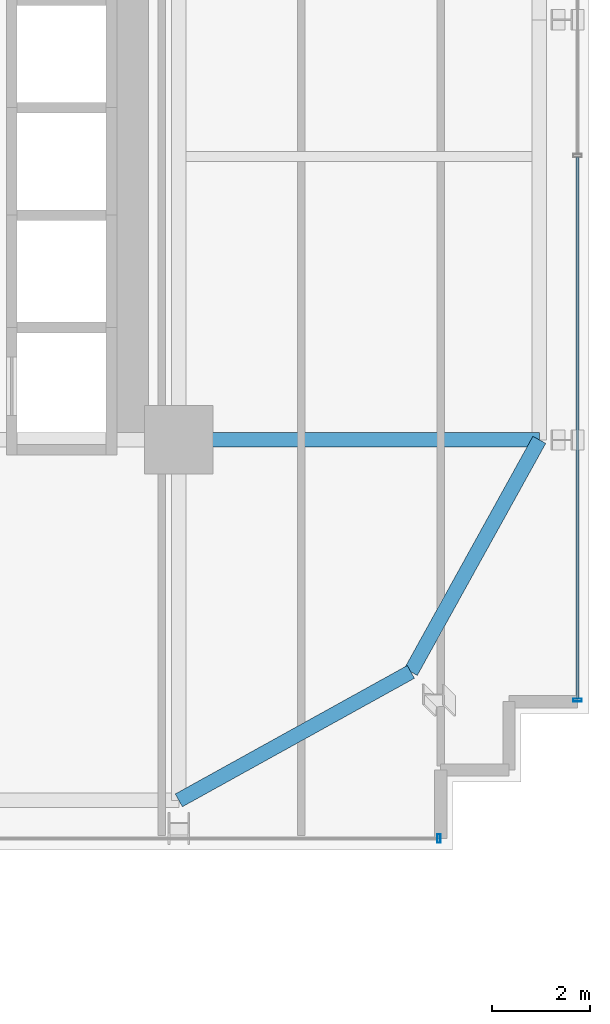
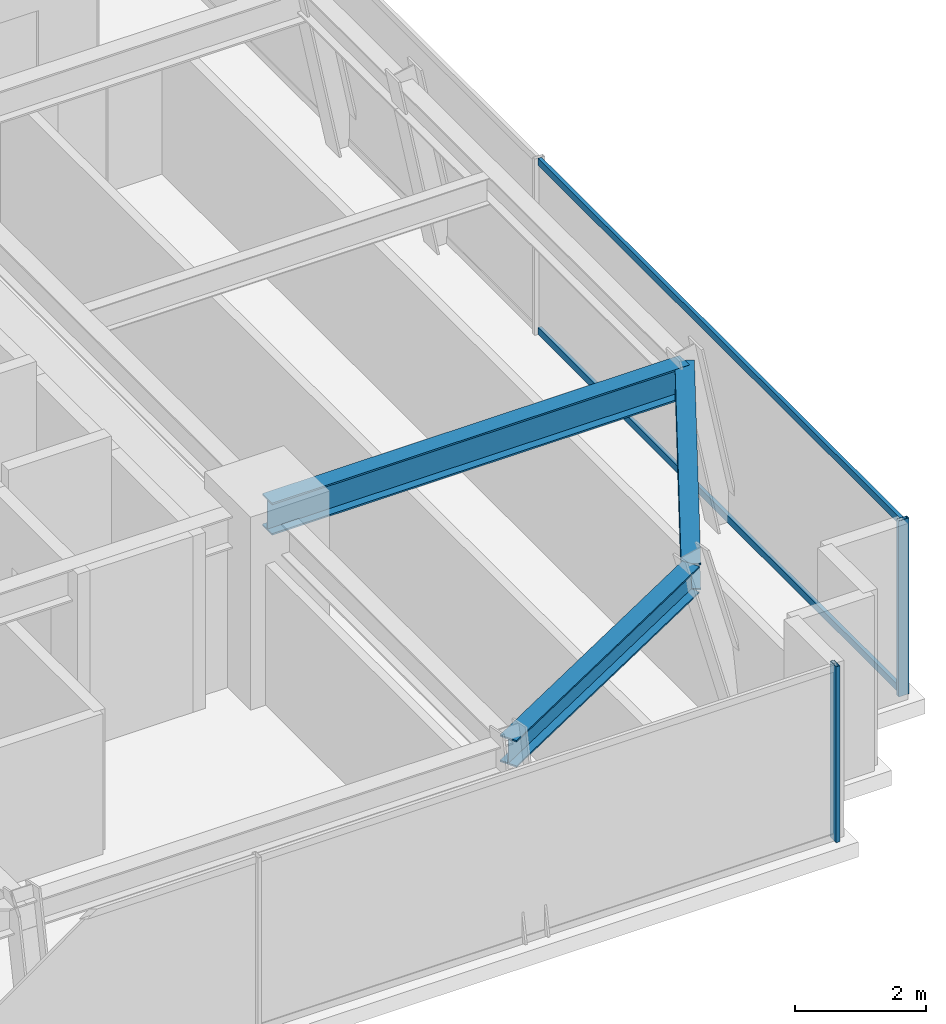
# One storey, part 13 of 35: 4 members, 3 beams, 2 elements without a shape of their own.
"""IFC4 building model written with IfcOpenShell, lengths in metres."""

from ifc_helpers import new_model, si_unit, direction, frame, origin, origin_2d, place, context, subcontext, project, spatial, hollow_rectangle, i_section, extrude, source, transform, mapped, material, material_profile, profile_set, type_object, element, aggregate, save


model = new_model("IFC4")

# Units and contexts
model_context = context("Model", 3, precision=1e-05, world=origin(), true_north=direction((0.0, 1.0)))
body_context = subcontext(model_context, "Body", "Model", "MODEL_VIEW")
ifc_project = project(units=[si_unit("LENGTHUNIT", "METRE"), si_unit("AREAUNIT", "SQUARE_METRE"), si_unit("VOLUMEUNIT", "CUBIC_METRE"), si_unit("PLANEANGLEUNIT", "RADIAN"), si_unit("MASSUNIT", "GRAM", prefix="KILO")], contexts=[model_context])

# Site, building, storey
site_placement = place(None, origin())
site = spatial("IfcSite", under=ifc_project, at=site_placement, CompositionType="ELEMENT")
building_placement = place(site_placement, origin())
building = spatial("IfcBuilding", under=site, at=building_placement, Name="Nahalor Promenade Grand Hotel", CompositionType="ELEMENT")
storey_placement = place(building_placement, frame((0.0, 0.0, 79.85009765625)))
storey = spatial("IfcBuildingStorey", under=building, at=storey_placement, Name="L19", CompositionType="ELEMENT", Elevation=79.85009765625)

# Beams
ifc_material_1 = material(Name="Steel S355JR", Category="steel")
ifc_material_profile_1 = material_profile(ifc_material_1, i_section(OverallWidth=0.3, OverallDepth=0.6, WebThickness=0.0155, FlangeThickness=0.03, at=origin_2d()), Name="HEB 600")
ifc_profile_set_1 = profile_set([ifc_material_profile_1], Name="Steel S355JR")
beam_type_1 = type_object("IfcBeamType", Name="Beam-Girder-HEB600", PredefinedType="BEAM", material=ifc_profile_set_1)
shared_shape_1 = source(origin(), body_context, "Body", "SweptSolid", [
    extrude(i_section(OverallWidth=0.3, OverallDepth=0.6, WebThickness=0.0155, FlangeThickness=0.03, at=origin_2d()), origin(), (0.0, 0.0, 1.0), 7.3798828125),
])
beam_placement = place(storey_placement, frame((17.0, -17.0, 2.989990234375), z_axis=(1.0, 0.0, 0.0), x_axis=(0.0, 1.0, 0.0)))
element("IfcBeam", 1, at=beam_placement, inside=storey, type_object=beam_type_1, Name="BM-L19-GX-0-6", PredefinedType="BEAM", context=body_context, shape_type="MappedRepresentation", body=[
    mapped(shared_shape_1, transform((0.0, 0.0, 0.0), scale=1.0)),
])
ifc_material_profile_2 = material_profile(ifc_material_1, i_section(OverallWidth=0.3, OverallDepth=0.5, WebThickness=0.0145, FlangeThickness=0.028, at=origin_2d()), Name="HEB 500")
ifc_profile_set_2 = profile_set([ifc_material_profile_2], Name="Steel S355JR")
beam_type_2 = type_object("IfcBeamType", Name="Beam-Spandrel-HEB500", PredefinedType="SPANDREL", material=ifc_profile_set_2)
shared_shape_2 = source(origin(), body_context, "Body", "SweptSolid", [
    extrude(i_section(OverallWidth=0.3, OverallDepth=0.5, WebThickness=0.0145, FlangeThickness=0.028, at=origin_2d()), origin(), (0.0, 0.0, 1.0), 5.429443359375),
])
for number, where, z_axis, x_axis, name in (
    (2, (17.0, -24.3798828125, 3.039794921875), (0.874860543329, 0.484374885523, 0.0), (-0.484374885523, 0.874860543329, 0.0), "BM-L19-SPC-SE-1"),
    (3, (21.75, -21.75, 3.039794921875), (0.484374885523, 0.874860543329, 0.0), (-0.874860543329, 0.484374885523, 0.0), "BM-L19-SPC-SE-2"),
):
    element("IfcBeam", number, at=place(storey_placement, frame(where, z_axis=z_axis, x_axis=x_axis)), inside=storey, type_object=beam_type_2, Name=name, PredefinedType="SPANDREL", context=body_context, shape_type="MappedRepresentation", body=[
        mapped(shared_shape_2, transform((0.0, 0.0, 0.0), scale=1.0)),
    ])

# Curtain wall, members
ifc_material_2 = material(Name="Anodised Bronze Aluminium EN AW-6063 T6", Category="aluminium")
curtain_wall_type = type_object("IfcCurtainWallType", Name="CW2 Typical Hotel Flush Bronze Unitised Curtain Wall", PredefinedType="USERDEFINED", material=ifc_material_2)
curtain_wall_1_placement = place(storey_placement, origin())
curtain_wall_1 = element("IfcCurtainWall", 4, at=curtain_wall_1_placement, inside=storey, type_object=curtain_wall_type, Name="L19 Curtain Wall CW-L19-E-1", ObjectType="UNITISED_CURTAIN_WALL", PredefinedType="USERDEFINED")
ifc_material_profile_3 = material_profile(ifc_material_2, hollow_rectangle(XDim=0.065, YDim=0.13, WallThickness=0.004, at=origin_2d()), Name="CWT 65x130x4")
ifc_profile_set_3 = profile_set([ifc_material_profile_3], Name="Anodised Bronze Aluminium EN AW-6063 T6")
member_type_1 = type_object("IfcMemberType", Name="CWT2 Typical Bronze Transom 65x130", PredefinedType="USERDEFINED", material=ifc_profile_set_3)
shared_shape_3 = source(origin(), body_context, "Body", "SweptSolid", [
    extrude(hollow_rectangle(XDim=0.065, YDim=0.13, WallThickness=0.004, at=origin_2d()), origin(), (0.0, 0.0, 1.0), 11.08251953125),
])
member_1_placement = place(storey_placement, frame((25.159912109375, -22.294921875, 0.06494140625), z_axis=(0.0, 1.0, 0.0), x_axis=(-1.0, 0.0, 0.0)))
member_1 = element("IfcMember", 5, at=member_1_placement, type_object=member_type_1, Name="CW-L19-E-1 Transom 0-0", ObjectType="TRANSOM", PredefinedType="USERDEFINED", context=body_context, shape_type="MappedRepresentation", body=[
    mapped(shared_shape_3, transform((0.0, 0.0, 0.0), scale=1.0)),
])
member_2_placement = place(storey_placement, frame((25.159912109375, -22.294921875, 3.224853515625), z_axis=(0.0, 1.0, 0.0), x_axis=(-1.0, 0.0, 0.0)))
member_2 = element("IfcMember", 6, at=member_2_placement, type_object=member_type_1, Name="CW-L19-E-1 Transom 0-1", ObjectType="TRANSOM", PredefinedType="USERDEFINED", context=body_context, shape_type="MappedRepresentation", body=[
    mapped(shared_shape_3, transform((0.0, 0.0, 0.0), scale=1.0)),
])

# Curtain wall, member
curtain_wall_2_placement = place(storey_placement, origin())
curtain_wall_2 = element("IfcCurtainWall", 7, at=curtain_wall_2_placement, inside=storey, type_object=curtain_wall_type, Name="L19 Curtain Wall CW-L19-S-3", ObjectType="UNITISED_CURTAIN_WALL", PredefinedType="USERDEFINED")
ifc_material_profile_4 = material_profile(ifc_material_2, hollow_rectangle(XDim=0.065, YDim=0.18, WallThickness=0.004, at=origin_2d()), Name="CWM 65x180x4")
ifc_profile_set_4 = profile_set([ifc_material_profile_4], Name="Anodised Bronze Aluminium EN AW-6063 T6")
member_type_2 = type_object("IfcMemberType", Name="CWM2 Typical Bronze Mullion 65x180", PredefinedType="MULLION", material=ifc_profile_set_4)
shared_shape_4 = source(origin(), body_context, "Body", "SweptSolid", [
    extrude(hollow_rectangle(XDim=0.065, YDim=0.18, WallThickness=0.004, at=origin_2d()), origin(), (0.0, 0.0, 1.0), 3.289794921875),
])
member_3_placement = place(storey_placement, frame((22.327392578125, -25.159912109375, 0.0), z_axis=(0.0, 0.0, 1.0), x_axis=(1.0, 0.0, 0.0)))
member_3 = element("IfcMember", 8, at=member_3_placement, type_object=member_type_2, Name="CW-L19-S-3 Mullion 3", PredefinedType="MULLION", context=body_context, shape_type="MappedRepresentation", body=[
    mapped(shared_shape_4, transform((0.0, 0.0, 0.0), scale=1.0)),
])
aggregate(curtain_wall_2, [member_3])

# Member
member_4_placement = place(storey_placement, frame((25.159912109375, -22.327392578125, 0.0), z_axis=(0.0, 0.0, 1.0), x_axis=(0.0, 1.0, 0.0)))
member_4 = element("IfcMember", 9, at=member_4_placement, type_object=member_type_2, Name="CW-L19-E-1 Mullion 0", PredefinedType="MULLION", context=body_context, shape_type="MappedRepresentation", body=[
    mapped(shared_shape_4, transform((0.0, 0.0, 0.0), scale=1.0)),
])

aggregate(curtain_wall_1, [member_4, member_1, member_2])

save(model, "model.ifc")
